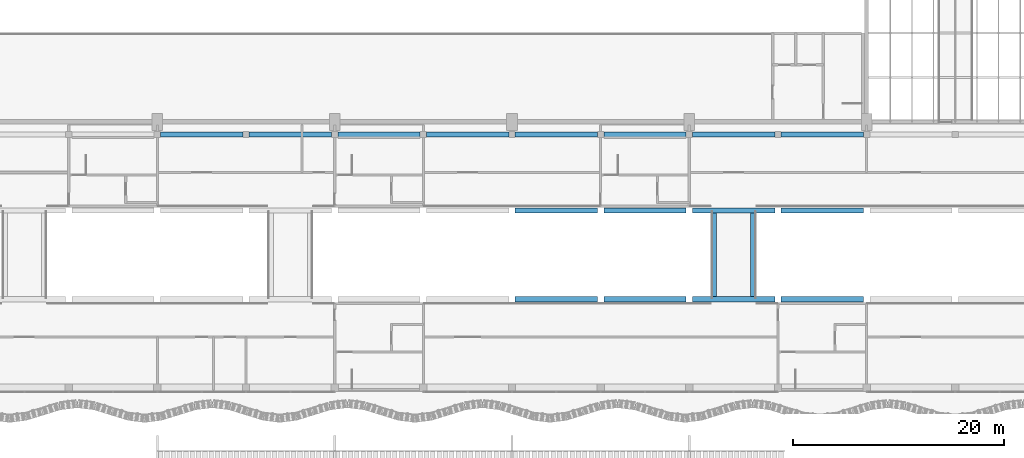
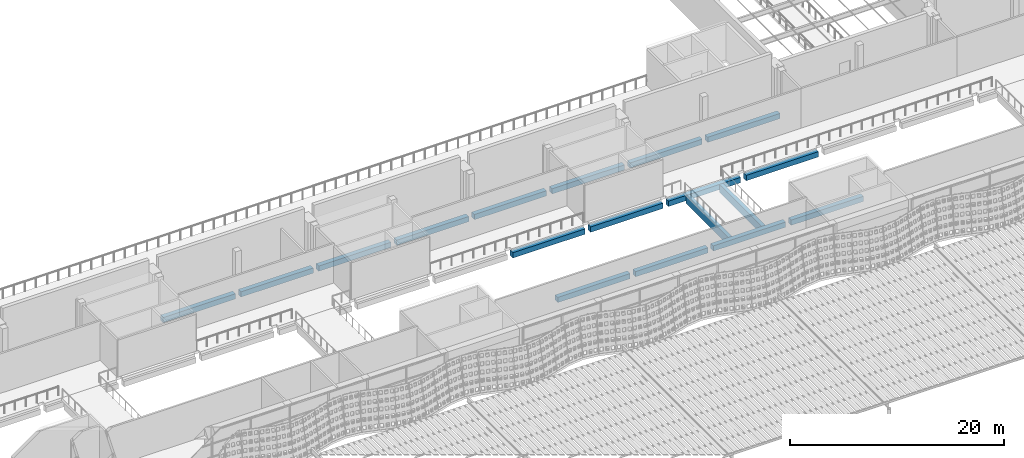
# One storey, part 35 of 162: 18 beams.
"""IFC4 building model written with IfcOpenShell, lengths in metres."""

from ifc_helpers import new_model, si_unit, direction, frame, origin, origin_2d, place, context, subcontext, project, spatial, rectangle, extrude, material, material_profile, profile_set, type_object, element, save


model = new_model("IFC4")

# Units and contexts
model_context = context("Model", 3, precision=1e-05, world=origin(), true_north=direction((0.0, 1.0)))
body_context = subcontext(model_context, "Body", "Model", "MODEL_VIEW")
ifc_project = project(units=[si_unit("LENGTHUNIT", "METRE"), si_unit("AREAUNIT", "SQUARE_METRE"), si_unit("VOLUMEUNIT", "CUBIC_METRE"), si_unit("PLANEANGLEUNIT", "RADIAN"), si_unit("MASSUNIT", "GRAM", prefix="KILO")], contexts=[model_context])

# Site, building, storey
site_placement = place(None, origin())
site = spatial("IfcSite", under=ifc_project, at=site_placement, CompositionType="ELEMENT")
building_placement = place(site_placement, origin())
building = spatial("IfcBuilding", under=site, at=building_placement, Name="Rain Tree Exposition and Congress Centre", CompositionType="ELEMENT")
storey_placement = place(building_placement, frame((0.0, 0.0, 6.0)))
storey = spatial("IfcBuildingStorey", under=building, at=storey_placement, Name="L01", CompositionType="ELEMENT", Elevation=6.0)

# Beams
ifc_material_1 = material(Name="Precast concrete C50/60", Category="concrete")
ifc_material_profile_1 = material_profile(ifc_material_1, rectangle(XDim=0.39990234375, YDim=0.89990234375, at=origin_2d()), Name="RC 400x900")
ifc_profile_set_1 = profile_set([ifc_material_profile_1], Name="Precast concrete C50/60")
beam_type_1 = type_object("IfcBeamType", Name="Precast beam 400x900", PredefinedType="BEAM", material=ifc_profile_set_1)
for number, where, z_axis, x_axis, name in (
    (1, (111.60009765625, 84.25, -0.75), (0.0, 1.0, 0.0), (-1.0, 0.0, 0.0), "Concourse bridge beam 4.1"),
    (2, (115.199951171875, 84.25, -0.75), (0.0, 1.0, 0.0), (-1.0, 0.0, 0.0), "Concourse bridge beam 4.2"),
):
    element("IfcBeam", number, at=place(storey_placement, frame(where, z_axis=z_axis, x_axis=x_axis)), inside=storey, type_object=beam_type_1, Name=name, PredefinedType="BEAM", context=body_context, shape_type="SweptSolid", body=[
        extrude(rectangle(XDim=0.39990234375, YDim=0.89990234375, at=origin_2d()), origin(), (0.0, 0.0, 1.0), 7.89990234375),
    ])
ifc_material_2 = material(Name="Precast concrete C50/60", Category="concrete")
ifc_material_profile_2 = material_profile(ifc_material_2, rectangle(XDim=0.5, YDim=0.60009765625, at=origin_2d()), Name="RC 500x600")
ifc_profile_set_2 = profile_set([ifc_material_profile_2], Name="Precast concrete C50/60")
beam_type_2 = type_object("IfcBeamType", Name="Precast beam 500x600", PredefinedType="BEAM", material=ifc_profile_set_2)
beam_1_placement = place(storey_placement, frame((92.699951171875, 84.0, -0.60009765625), z_axis=(1.0, 0.0, 0.0), x_axis=(0.0, 1.0, 0.0)))
element("IfcBeam", 3, at=beam_1_placement, inside=storey, type_object=beam_type_2, Name="Concourse floor beam 44", PredefinedType="BEAM", context=body_context, shape_type="SweptSolid", body=[
    extrude(rectangle(XDim=0.5, YDim=0.60009765625, at=origin_2d()), origin(), (0.0, 0.0, 1.0), 7.800048828125),
])
beam_2_placement = place(storey_placement, frame((101.10009765625, 84.0, -0.60009765625), z_axis=(1.0, 0.0, 0.0), x_axis=(0.0, 1.0, 0.0)))
element("IfcBeam", 4, at=beam_2_placement, inside=storey, type_object=beam_type_2, Name="Concourse floor beam 45", PredefinedType="BEAM", context=body_context, shape_type="SweptSolid", body=[
    extrude(rectangle(XDim=0.5, YDim=0.60009765625, at=origin_2d()), origin(), (0.0, 0.0, 1.0), 7.7998046875),
])
for number, where, z_axis, x_axis, name in (
    (5, (109.5, 84.0, -0.60009765625), (1.0, 0.0, 0.0), (0.0, 1.0, 0.0), "Concourse floor beam 46"),
    (6, (117.89990234375, 84.0, -0.60009765625), (1.0, 0.0, 0.0), (0.0, 1.0, 0.0), "Concourse floor beam 47"),
    (7, (92.699951171875, 92.39990234375, -0.60009765625), (1.0, 0.0, 0.0), (0.0, 1.0, 0.0), "Concourse floor beam 76"),
):
    element("IfcBeam", number, at=place(storey_placement, frame(where, z_axis=z_axis, x_axis=x_axis)), inside=storey, type_object=beam_type_2, Name=name, PredefinedType="BEAM", context=body_context, shape_type="SweptSolid", body=[
        extrude(rectangle(XDim=0.5, YDim=0.60009765625, at=origin_2d()), origin(), (0.0, 0.0, 1.0), 7.800048828125),
    ])
beam_3_placement = place(storey_placement, frame((101.10009765625, 92.39990234375, -0.60009765625), z_axis=(1.0, 0.0, 0.0), x_axis=(0.0, 1.0, 0.0)))
element("IfcBeam", 8, at=beam_3_placement, inside=storey, type_object=beam_type_2, Name="Concourse floor beam 77", PredefinedType="BEAM", context=body_context, shape_type="SweptSolid", body=[
    extrude(rectangle(XDim=0.5, YDim=0.60009765625, at=origin_2d()), origin(), (0.0, 0.0, 1.0), 7.7998046875),
])
for number, where, z_axis, x_axis, name in (
    (9, (109.5, 92.39990234375, -0.60009765625), (1.0, 0.0, 0.0), (0.0, 1.0, 0.0), "Concourse floor beam 78"),
    (10, (117.89990234375, 92.39990234375, -0.60009765625), (1.0, 0.0, 0.0), (0.0, 1.0, 0.0), "Concourse floor beam 79"),
):
    element("IfcBeam", number, at=place(storey_placement, frame(where, z_axis=z_axis, x_axis=x_axis)), inside=storey, type_object=beam_type_2, Name=name, PredefinedType="BEAM", context=body_context, shape_type="SweptSolid", body=[
        extrude(rectangle(XDim=0.5, YDim=0.60009765625, at=origin_2d()), origin(), (0.0, 0.0, 1.0), 7.800048828125),
    ])
beam_4_placement = place(storey_placement, frame((59.10009765625, 99.60009765625, -0.60009765625), z_axis=(1.0, 0.0, 0.0), x_axis=(0.0, 1.0, 0.0)))
element("IfcBeam", 11, at=beam_4_placement, inside=storey, type_object=beam_type_2, Name="Concourse floor beam 104", PredefinedType="BEAM", context=body_context, shape_type="SweptSolid", body=[
    extrude(rectangle(XDim=0.5, YDim=0.60009765625, at=origin_2d()), origin(), (0.0, 0.0, 1.0), 7.7998046875),
])
for number, where, z_axis, x_axis, name in (
    (12, (67.5, 99.60009765625, -0.60009765625), (1.0, 0.0, 0.0), (0.0, 1.0, 0.0), "Concourse floor beam 105"),
    (13, (75.89990234375, 99.60009765625, -0.60009765625), (1.0, 0.0, 0.0), (0.0, 1.0, 0.0), "Concourse floor beam 106"),
    (14, (84.300048828125, 99.60009765625, -0.60009765625), (1.0, 0.0, 0.0), (0.0, 1.0, 0.0), "Concourse floor beam 107"),
    (15, (92.699951171875, 99.60009765625, -0.60009765625), (1.0, 0.0, 0.0), (0.0, 1.0, 0.0), "Concourse floor beam 108"),
):
    element("IfcBeam", number, at=place(storey_placement, frame(where, z_axis=z_axis, x_axis=x_axis)), inside=storey, type_object=beam_type_2, Name=name, PredefinedType="BEAM", context=body_context, shape_type="SweptSolid", body=[
        extrude(rectangle(XDim=0.5, YDim=0.60009765625, at=origin_2d()), origin(), (0.0, 0.0, 1.0), 7.800048828125),
    ])
beam_5_placement = place(storey_placement, frame((101.10009765625, 99.60009765625, -0.60009765625), z_axis=(1.0, 0.0, 0.0), x_axis=(0.0, 1.0, 0.0)))
element("IfcBeam", 16, at=beam_5_placement, inside=storey, type_object=beam_type_2, Name="Concourse floor beam 109", PredefinedType="BEAM", context=body_context, shape_type="SweptSolid", body=[
    extrude(rectangle(XDim=0.5, YDim=0.60009765625, at=origin_2d()), origin(), (0.0, 0.0, 1.0), 7.7998046875),
])
for number, where, z_axis, x_axis, name in (
    (17, (109.5, 99.60009765625, -0.60009765625), (1.0, 0.0, 0.0), (0.0, 1.0, 0.0), "Concourse floor beam 110"),
    (18, (117.89990234375, 99.60009765625, -0.60009765625), (1.0, 0.0, 0.0), (0.0, 1.0, 0.0), "Concourse floor beam 111"),
):
    element("IfcBeam", number, at=place(storey_placement, frame(where, z_axis=z_axis, x_axis=x_axis)), inside=storey, type_object=beam_type_2, Name=name, PredefinedType="BEAM", context=body_context, shape_type="SweptSolid", body=[
        extrude(rectangle(XDim=0.5, YDim=0.60009765625, at=origin_2d()), origin(), (0.0, 0.0, 1.0), 7.800048828125),
    ])

save(model, "model.ifc")
